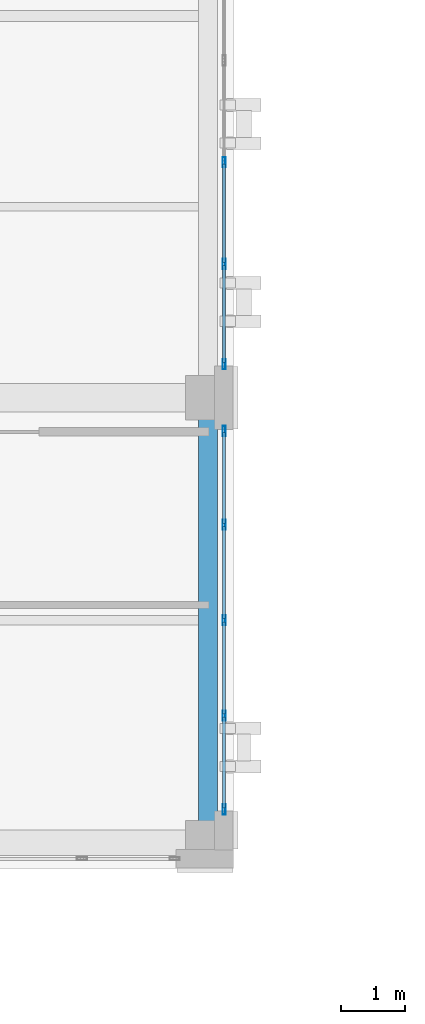
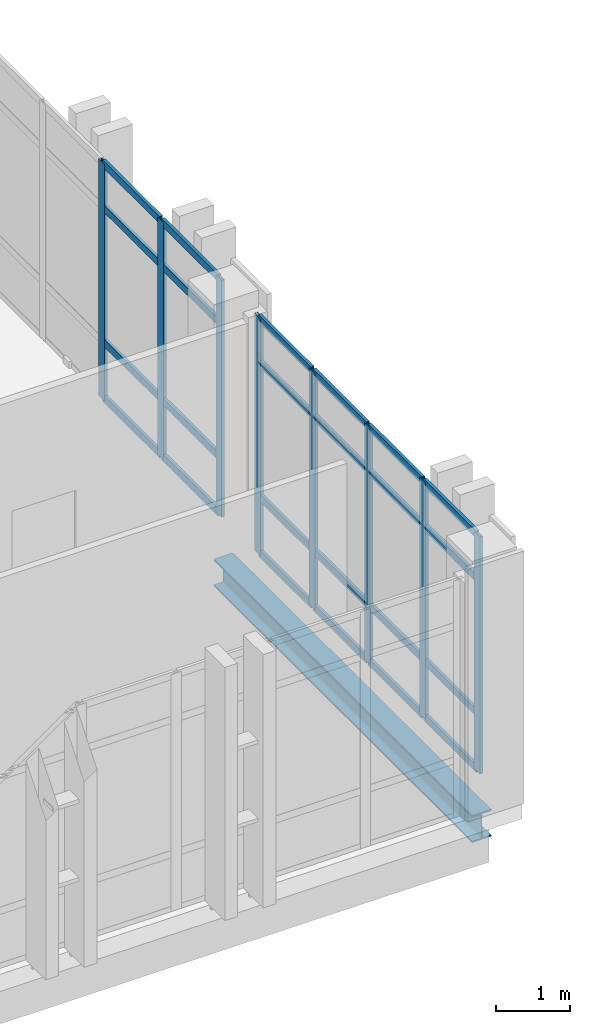
# One storey, part 109 of 165: 32 members, 1 beam, 2 elements without a shape of their own.
"""IFC4 building model written with IfcOpenShell, lengths in metres."""

from ifc_helpers import new_model, si_unit, direction, frame, origin, origin_2d, place, context, subcontext, project, spatial, hollow_rectangle, i_section, extrude, material, layer, layer_set, material_profile, profile_set, type_object, element, aggregate, save


model = new_model("IFC4")

# Units and contexts
model_context = context("Model", 3, precision=1e-05, world=origin(), true_north=direction((0.0, 1.0)))
body_context = subcontext(model_context, "Body", "Model", "MODEL_VIEW")
ifc_project = project(units=[si_unit("LENGTHUNIT", "METRE"), si_unit("AREAUNIT", "SQUARE_METRE"), si_unit("VOLUMEUNIT", "CUBIC_METRE"), si_unit("PLANEANGLEUNIT", "RADIAN"), si_unit("MASSUNIT", "GRAM", prefix="KILO")], contexts=[model_context])

# Site, building, storey
site_placement = place(None, origin())
site = spatial("IfcSite", under=ifc_project, at=site_placement, CompositionType="ELEMENT")
building_placement = place(site_placement, origin())
building = spatial("IfcBuilding", under=site, at=building_placement, Name="Qalavern Law Courts", CompositionType="ELEMENT")
storey_placement = place(building_placement, frame((0.0, 0.0, 14.39990234375)))
storey = spatial("IfcBuildingStorey", under=building, at=storey_placement, Name="L03", CompositionType="ELEMENT", Elevation=14.39990234375)

# Curtain wall, members
ifc_material_1 = material(Name="Anodised aluminium and insulated glazing", Category="aluminium")
ifc_layer = layer(ifc_material_1, 0.166015625)
ifc_layer_set = layer_set([ifc_layer], Name="Anodised aluminium and insulated glazing")
curtain_wall_type = type_object("IfcCurtainWallType", Name="ENV-CW-LIB", PredefinedType="USERDEFINED", material=ifc_layer_set)
curtain_wall_1_placement = place(storey_placement, origin())
curtain_wall_1 = element("IfcCurtainWall", 1, at=curtain_wall_1_placement, inside=storey, type_object=curtain_wall_type, Name="V5 unitised curtain wall L03 east 1", ObjectType="UNITISED CURTAIN WALL", PredefinedType="USERDEFINED")
ifc_material_2 = material(Name="Anodised aluminium", Category="aluminium")
ifc_material_profile_1 = material_profile(ifc_material_2, hollow_rectangle(XDim=0.048095703125, YDim=0.159912109375, WallThickness=0.00390625, at=origin_2d()), Name="ALU MULLION 48x160")
ifc_profile_set_1 = profile_set([ifc_material_profile_1], Name="Anodised aluminium")
member_type_1 = type_object("IfcMemberType", Name="ENV-CWM-48x160", PredefinedType="MULLION", material=ifc_profile_set_1)
member_1_placement = place(storey_placement, frame((66.652587890625, 97.1240234375, 0.0), z_axis=(0.0, 0.0, 1.0), x_axis=(-1.0, 0.0, 0.0)))
member_1 = element("IfcMember", 2, at=member_1_placement, type_object=member_type_1, Name="CW-05 mullion 1", PredefinedType="MULLION", context=body_context, shape_type="SweptSolid", body=[
    extrude(hollow_rectangle(XDim=0.048095703125, YDim=0.159912109375, WallThickness=0.00390625, at=origin_2d()), origin(), (0.0, 0.0, 1.0), 3.920166015625),
])
member_2_placement = place(storey_placement, frame((66.652587890625, 98.60009765625, 0.0), z_axis=(0.0, 0.0, 1.0), x_axis=(-1.0, 0.0, 0.0)))
member_2 = element("IfcMember", 3, at=member_2_placement, type_object=member_type_1, Name="CW-05 mullion 2", PredefinedType="MULLION", context=body_context, shape_type="SweptSolid", body=[
    extrude(hollow_rectangle(XDim=0.048095703125, YDim=0.159912109375, WallThickness=0.00390625, at=origin_2d()), origin(), (0.0, 0.0, 1.0), 3.920166015625),
])
member_3_placement = place(storey_placement, frame((66.652587890625, 100.10009765625, 0.0), z_axis=(0.0, 0.0, 1.0), x_axis=(-1.0, 0.0, 0.0)))
member_3 = element("IfcMember", 4, at=member_3_placement, type_object=member_type_1, Name="CW-05 mullion 3", PredefinedType="MULLION", context=body_context, shape_type="SweptSolid", body=[
    extrude(hollow_rectangle(XDim=0.048095703125, YDim=0.159912109375, WallThickness=0.00390625, at=origin_2d()), origin(), (0.0, 0.0, 1.0), 3.920166015625),
])
member_4_placement = place(storey_placement, frame((66.652587890625, 101.60009765625, 0.0), z_axis=(0.0, 0.0, 1.0), x_axis=(-1.0, 0.0, 0.0)))
member_4 = element("IfcMember", 5, at=member_4_placement, type_object=member_type_1, Name="CW-05 mullion 4", PredefinedType="MULLION", context=body_context, shape_type="SweptSolid", body=[
    extrude(hollow_rectangle(XDim=0.048095703125, YDim=0.159912109375, WallThickness=0.00390625, at=origin_2d()), origin(), (0.0, 0.0, 1.0), 3.920166015625),
])
member_5_placement = place(storey_placement, frame((66.652587890625, 103.075927734375, 0.0), z_axis=(0.0, 0.0, 1.0), x_axis=(-1.0, 0.0, 0.0)))
member_5 = element("IfcMember", 6, at=member_5_placement, type_object=member_type_1, Name="CW-05 mullion 5", PredefinedType="MULLION", context=body_context, shape_type="SweptSolid", body=[
    extrude(hollow_rectangle(XDim=0.048095703125, YDim=0.159912109375, WallThickness=0.00390625, at=origin_2d()), origin(), (0.0, 0.0, 1.0), 3.920166015625),
])

curtain_wall_2_placement = place(storey_placement, origin())
curtain_wall_2 = element("IfcCurtainWall", 7, at=curtain_wall_2_placement, inside=storey, type_object=curtain_wall_type, Name="V5 unitised curtain wall L03 east 2", ObjectType="UNITISED CURTAIN WALL", PredefinedType="USERDEFINED")
member_6_placement = place(storey_placement, frame((66.652587890625, 104.1240234375, 0.0), z_axis=(0.0, 0.0, 1.0), x_axis=(-1.0, 0.0, 0.0)))
member_6 = element("IfcMember", 8, at=member_6_placement, type_object=member_type_1, Name="CW-05 mullion 1", PredefinedType="MULLION", context=body_context, shape_type="SweptSolid", body=[
    extrude(hollow_rectangle(XDim=0.048095703125, YDim=0.159912109375, WallThickness=0.00390625, at=origin_2d()), origin(), (0.0, 0.0, 1.0), 3.920166015625),
])
member_7_placement = place(storey_placement, frame((66.652587890625, 105.699951171875, 0.0), z_axis=(0.0, 0.0, 1.0), x_axis=(-1.0, 0.0, 0.0)))
member_7 = element("IfcMember", 9, at=member_7_placement, type_object=member_type_1, Name="CW-05 mullion 2", PredefinedType="MULLION", context=body_context, shape_type="SweptSolid", body=[
    extrude(hollow_rectangle(XDim=0.048095703125, YDim=0.159912109375, WallThickness=0.00390625, at=origin_2d()), origin(), (0.0, 0.0, 1.0), 3.920166015625),
])
member_8_placement = place(storey_placement, frame((66.652587890625, 107.300048828125, 0.0), z_axis=(0.0, 0.0, 1.0), x_axis=(-1.0, 0.0, 0.0)))
member_8 = element("IfcMember", 10, at=member_8_placement, type_object=member_type_1, Name="CW-05 mullion 3", PredefinedType="MULLION", context=body_context, shape_type="SweptSolid", body=[
    extrude(hollow_rectangle(XDim=0.048095703125, YDim=0.159912109375, WallThickness=0.00390625, at=origin_2d()), origin(), (0.0, 0.0, 1.0), 3.920166015625),
])

# Member
ifc_material_profile_2 = material_profile(ifc_material_2, hollow_rectangle(XDim=0.048095703125, YDim=0.1201171875, WallThickness=0.00390625, at=origin_2d()), Name="ALU TRANSOM 48x120")
ifc_profile_set_2 = profile_set([ifc_material_profile_2], Name="Anodised aluminium")
member_type_2 = type_object("IfcMemberType", Name="ENV-CWT-48x120", PredefinedType="USERDEFINED", material=ifc_profile_set_2)
member_9_placement = place(storey_placement, frame((66.652587890625, 97.14794921875, 0.024169921875), z_axis=(0.0, 1.0, 0.0), x_axis=(-1.0, 0.0, 0.0)))
member_9 = element("IfcMember", 11, at=member_9_placement, type_object=member_type_2, Name="CW-05 transom 1.1", ObjectType="TRANSOM", PredefinedType="USERDEFINED", context=body_context, shape_type="SweptSolid", body=[
    extrude(hollow_rectangle(XDim=0.048095703125, YDim=0.1201171875, WallThickness=0.00390625, at=origin_2d()), origin(), (0.0, 0.0, 1.0), 1.427978515625),
])

member_10_placement = place(storey_placement, frame((66.652587890625, 97.14794921875, 0.9501953125), z_axis=(0.0, 1.0, 0.0), x_axis=(-1.0, 0.0, 0.0)))
member_10 = element("IfcMember", 12, at=member_10_placement, type_object=member_type_2, Name="CW-05 transom 1.2", ObjectType="TRANSOM", PredefinedType="USERDEFINED", context=body_context, shape_type="SweptSolid", body=[
    extrude(hollow_rectangle(XDim=0.048095703125, YDim=0.1201171875, WallThickness=0.00390625, at=origin_2d()), origin(), (0.0, 0.0, 1.0), 1.427978515625),
])

member_11_placement = place(storey_placement, frame((66.652587890625, 97.14794921875, 3.170166015625), z_axis=(0.0, 1.0, 0.0), x_axis=(-1.0, 0.0, 0.0)))
member_11 = element("IfcMember", 13, at=member_11_placement, type_object=member_type_2, Name="CW-05 transom 1.3", ObjectType="TRANSOM", PredefinedType="USERDEFINED", context=body_context, shape_type="SweptSolid", body=[
    extrude(hollow_rectangle(XDim=0.048095703125, YDim=0.1201171875, WallThickness=0.00390625, at=origin_2d()), origin(), (0.0, 0.0, 1.0), 1.427978515625),
])

member_12_placement = place(storey_placement, frame((66.652587890625, 97.14794921875, 3.89599609375), z_axis=(0.0, 1.0, 0.0), x_axis=(-1.0, 0.0, 0.0)))
member_12 = element("IfcMember", 14, at=member_12_placement, type_object=member_type_2, Name="CW-05 transom 1.4", ObjectType="TRANSOM", PredefinedType="USERDEFINED", context=body_context, shape_type="SweptSolid", body=[
    extrude(hollow_rectangle(XDim=0.048095703125, YDim=0.1201171875, WallThickness=0.00390625, at=origin_2d()), origin(), (0.0, 0.0, 1.0), 1.427978515625),
])

member_13_placement = place(storey_placement, frame((66.652587890625, 98.6240234375, 0.024169921875), z_axis=(0.0, 1.0, 0.0), x_axis=(-1.0, 0.0, 0.0)))
member_13 = element("IfcMember", 15, at=member_13_placement, type_object=member_type_2, Name="CW-05 transom 2.1", ObjectType="TRANSOM", PredefinedType="USERDEFINED", context=body_context, shape_type="SweptSolid", body=[
    extrude(hollow_rectangle(XDim=0.048095703125, YDim=0.1201171875, WallThickness=0.00390625, at=origin_2d()), origin(), (0.0, 0.0, 1.0), 1.451904296875),
])

member_14_placement = place(storey_placement, frame((66.652587890625, 98.6240234375, 0.9501953125), z_axis=(0.0, 1.0, 0.0), x_axis=(-1.0, 0.0, 0.0)))
member_14 = element("IfcMember", 16, at=member_14_placement, type_object=member_type_2, Name="CW-05 transom 2.2", ObjectType="TRANSOM", PredefinedType="USERDEFINED", context=body_context, shape_type="SweptSolid", body=[
    extrude(hollow_rectangle(XDim=0.048095703125, YDim=0.1201171875, WallThickness=0.00390625, at=origin_2d()), origin(), (0.0, 0.0, 1.0), 1.451904296875),
])

member_15_placement = place(storey_placement, frame((66.652587890625, 98.6240234375, 3.170166015625), z_axis=(0.0, 1.0, 0.0), x_axis=(-1.0, 0.0, 0.0)))
member_15 = element("IfcMember", 17, at=member_15_placement, type_object=member_type_2, Name="CW-05 transom 2.3", ObjectType="TRANSOM", PredefinedType="USERDEFINED", context=body_context, shape_type="SweptSolid", body=[
    extrude(hollow_rectangle(XDim=0.048095703125, YDim=0.1201171875, WallThickness=0.00390625, at=origin_2d()), origin(), (0.0, 0.0, 1.0), 1.451904296875),
])

member_16_placement = place(storey_placement, frame((66.652587890625, 98.6240234375, 3.89599609375), z_axis=(0.0, 1.0, 0.0), x_axis=(-1.0, 0.0, 0.0)))
member_16 = element("IfcMember", 18, at=member_16_placement, type_object=member_type_2, Name="CW-05 transom 2.4", ObjectType="TRANSOM", PredefinedType="USERDEFINED", context=body_context, shape_type="SweptSolid", body=[
    extrude(hollow_rectangle(XDim=0.048095703125, YDim=0.1201171875, WallThickness=0.00390625, at=origin_2d()), origin(), (0.0, 0.0, 1.0), 1.451904296875),
])

member_17_placement = place(storey_placement, frame((66.652587890625, 100.1240234375, 0.024169921875), z_axis=(0.0, 1.0, 0.0), x_axis=(-1.0, 0.0, 0.0)))
member_17 = element("IfcMember", 19, at=member_17_placement, type_object=member_type_2, Name="CW-05 transom 3.1", ObjectType="TRANSOM", PredefinedType="USERDEFINED", context=body_context, shape_type="SweptSolid", body=[
    extrude(hollow_rectangle(XDim=0.048095703125, YDim=0.1201171875, WallThickness=0.00390625, at=origin_2d()), origin(), (0.0, 0.0, 1.0), 1.451904296875),
])

member_18_placement = place(storey_placement, frame((66.652587890625, 100.1240234375, 0.9501953125), z_axis=(0.0, 1.0, 0.0), x_axis=(-1.0, 0.0, 0.0)))
member_18 = element("IfcMember", 20, at=member_18_placement, type_object=member_type_2, Name="CW-05 transom 3.2", ObjectType="TRANSOM", PredefinedType="USERDEFINED", context=body_context, shape_type="SweptSolid", body=[
    extrude(hollow_rectangle(XDim=0.048095703125, YDim=0.1201171875, WallThickness=0.00390625, at=origin_2d()), origin(), (0.0, 0.0, 1.0), 1.451904296875),
])

member_19_placement = place(storey_placement, frame((66.652587890625, 100.1240234375, 3.170166015625), z_axis=(0.0, 1.0, 0.0), x_axis=(-1.0, 0.0, 0.0)))
member_19 = element("IfcMember", 21, at=member_19_placement, type_object=member_type_2, Name="CW-05 transom 3.3", ObjectType="TRANSOM", PredefinedType="USERDEFINED", context=body_context, shape_type="SweptSolid", body=[
    extrude(hollow_rectangle(XDim=0.048095703125, YDim=0.1201171875, WallThickness=0.00390625, at=origin_2d()), origin(), (0.0, 0.0, 1.0), 1.451904296875),
])

member_20_placement = place(storey_placement, frame((66.652587890625, 100.1240234375, 3.89599609375), z_axis=(0.0, 1.0, 0.0), x_axis=(-1.0, 0.0, 0.0)))
member_20 = element("IfcMember", 22, at=member_20_placement, type_object=member_type_2, Name="CW-05 transom 3.4", ObjectType="TRANSOM", PredefinedType="USERDEFINED", context=body_context, shape_type="SweptSolid", body=[
    extrude(hollow_rectangle(XDim=0.048095703125, YDim=0.1201171875, WallThickness=0.00390625, at=origin_2d()), origin(), (0.0, 0.0, 1.0), 1.451904296875),
])

member_21_placement = place(storey_placement, frame((66.652587890625, 101.6240234375, 0.024169921875), z_axis=(0.0, 1.0, 0.0), x_axis=(-1.0, 0.0, 0.0)))
member_21 = element("IfcMember", 23, at=member_21_placement, type_object=member_type_2, Name="CW-05 transom 4.1", ObjectType="TRANSOM", PredefinedType="USERDEFINED", context=body_context, shape_type="SweptSolid", body=[
    extrude(hollow_rectangle(XDim=0.048095703125, YDim=0.1201171875, WallThickness=0.00390625, at=origin_2d()), origin(), (0.0, 0.0, 1.0), 1.427978515625),
])

member_22_placement = place(storey_placement, frame((66.652587890625, 101.6240234375, 0.9501953125), z_axis=(0.0, 1.0, 0.0), x_axis=(-1.0, 0.0, 0.0)))
member_22 = element("IfcMember", 24, at=member_22_placement, type_object=member_type_2, Name="CW-05 transom 4.2", ObjectType="TRANSOM", PredefinedType="USERDEFINED", context=body_context, shape_type="SweptSolid", body=[
    extrude(hollow_rectangle(XDim=0.048095703125, YDim=0.1201171875, WallThickness=0.00390625, at=origin_2d()), origin(), (0.0, 0.0, 1.0), 1.427978515625),
])

member_23_placement = place(storey_placement, frame((66.652587890625, 101.6240234375, 3.170166015625), z_axis=(0.0, 1.0, 0.0), x_axis=(-1.0, 0.0, 0.0)))
member_23 = element("IfcMember", 25, at=member_23_placement, type_object=member_type_2, Name="CW-05 transom 4.3", ObjectType="TRANSOM", PredefinedType="USERDEFINED", context=body_context, shape_type="SweptSolid", body=[
    extrude(hollow_rectangle(XDim=0.048095703125, YDim=0.1201171875, WallThickness=0.00390625, at=origin_2d()), origin(), (0.0, 0.0, 1.0), 1.427978515625),
])

member_24_placement = place(storey_placement, frame((66.652587890625, 101.6240234375, 3.89599609375), z_axis=(0.0, 1.0, 0.0), x_axis=(-1.0, 0.0, 0.0)))
member_24 = element("IfcMember", 26, at=member_24_placement, type_object=member_type_2, Name="CW-05 transom 4.4", ObjectType="TRANSOM", PredefinedType="USERDEFINED", context=body_context, shape_type="SweptSolid", body=[
    extrude(hollow_rectangle(XDim=0.048095703125, YDim=0.1201171875, WallThickness=0.00390625, at=origin_2d()), origin(), (0.0, 0.0, 1.0), 1.427978515625),
])

aggregate(curtain_wall_1, [member_1, member_2, member_3, member_4, member_5, member_9, member_10, member_11, member_12, member_13, member_14, member_15, member_16, member_17, member_18, member_19, member_20, member_21, member_22, member_23, member_24])

member_25_placement = place(storey_placement, frame((66.652587890625, 104.14794921875, 0.024169921875), z_axis=(0.0, 1.0, 0.0), x_axis=(-1.0, 0.0, 0.0)))
member_25 = element("IfcMember", 27, at=member_25_placement, type_object=member_type_2, Name="CW-05 transom 1.1", ObjectType="TRANSOM", PredefinedType="USERDEFINED", context=body_context, shape_type="SweptSolid", body=[
    extrude(hollow_rectangle(XDim=0.048095703125, YDim=0.1201171875, WallThickness=0.00390625, at=origin_2d()), origin(), (0.0, 0.0, 1.0), 1.528076171875),
])

member_26_placement = place(storey_placement, frame((66.652587890625, 104.14794921875, 0.9501953125), z_axis=(0.0, 1.0, 0.0), x_axis=(-1.0, 0.0, 0.0)))
member_26 = element("IfcMember", 28, at=member_26_placement, type_object=member_type_2, Name="CW-05 transom 1.2", ObjectType="TRANSOM", PredefinedType="USERDEFINED", context=body_context, shape_type="SweptSolid", body=[
    extrude(hollow_rectangle(XDim=0.048095703125, YDim=0.1201171875, WallThickness=0.00390625, at=origin_2d()), origin(), (0.0, 0.0, 1.0), 1.528076171875),
])

member_27_placement = place(storey_placement, frame((66.652587890625, 104.14794921875, 3.170166015625), z_axis=(0.0, 1.0, 0.0), x_axis=(-1.0, 0.0, 0.0)))
member_27 = element("IfcMember", 29, at=member_27_placement, type_object=member_type_2, Name="CW-05 transom 1.3", ObjectType="TRANSOM", PredefinedType="USERDEFINED", context=body_context, shape_type="SweptSolid", body=[
    extrude(hollow_rectangle(XDim=0.048095703125, YDim=0.1201171875, WallThickness=0.00390625, at=origin_2d()), origin(), (0.0, 0.0, 1.0), 1.528076171875),
])

member_28_placement = place(storey_placement, frame((66.652587890625, 104.14794921875, 3.89599609375), z_axis=(0.0, 1.0, 0.0), x_axis=(-1.0, 0.0, 0.0)))
member_28 = element("IfcMember", 30, at=member_28_placement, type_object=member_type_2, Name="CW-05 transom 1.4", ObjectType="TRANSOM", PredefinedType="USERDEFINED", context=body_context, shape_type="SweptSolid", body=[
    extrude(hollow_rectangle(XDim=0.048095703125, YDim=0.1201171875, WallThickness=0.00390625, at=origin_2d()), origin(), (0.0, 0.0, 1.0), 1.528076171875),
])

member_29_placement = place(storey_placement, frame((66.652587890625, 105.72412109375, 0.024169921875), z_axis=(0.0, 1.0, 0.0), x_axis=(-1.0, 0.0, 0.0)))
member_29 = element("IfcMember", 31, at=member_29_placement, type_object=member_type_2, Name="CW-05 transom 2.1", ObjectType="TRANSOM", PredefinedType="USERDEFINED", context=body_context, shape_type="SweptSolid", body=[
    extrude(hollow_rectangle(XDim=0.048095703125, YDim=0.1201171875, WallThickness=0.00390625, at=origin_2d()), origin(), (0.0, 0.0, 1.0), 1.5517578125),
])

member_30_placement = place(storey_placement, frame((66.652587890625, 105.72412109375, 0.9501953125), z_axis=(0.0, 1.0, 0.0), x_axis=(-1.0, 0.0, 0.0)))
member_30 = element("IfcMember", 32, at=member_30_placement, type_object=member_type_2, Name="CW-05 transom 2.2", ObjectType="TRANSOM", PredefinedType="USERDEFINED", context=body_context, shape_type="SweptSolid", body=[
    extrude(hollow_rectangle(XDim=0.048095703125, YDim=0.1201171875, WallThickness=0.00390625, at=origin_2d()), origin(), (0.0, 0.0, 1.0), 1.5517578125),
])

member_31_placement = place(storey_placement, frame((66.652587890625, 105.72412109375, 3.170166015625), z_axis=(0.0, 1.0, 0.0), x_axis=(-1.0, 0.0, 0.0)))
member_31 = element("IfcMember", 33, at=member_31_placement, type_object=member_type_2, Name="CW-05 transom 2.3", ObjectType="TRANSOM", PredefinedType="USERDEFINED", context=body_context, shape_type="SweptSolid", body=[
    extrude(hollow_rectangle(XDim=0.048095703125, YDim=0.1201171875, WallThickness=0.00390625, at=origin_2d()), origin(), (0.0, 0.0, 1.0), 1.5517578125),
])

member_32_placement = place(storey_placement, frame((66.652587890625, 105.72412109375, 3.89599609375), z_axis=(0.0, 1.0, 0.0), x_axis=(-1.0, 0.0, 0.0)))
member_32 = element("IfcMember", 34, at=member_32_placement, type_object=member_type_2, Name="CW-05 transom 2.4", ObjectType="TRANSOM", PredefinedType="USERDEFINED", context=body_context, shape_type="SweptSolid", body=[
    extrude(hollow_rectangle(XDim=0.048095703125, YDim=0.1201171875, WallThickness=0.00390625, at=origin_2d()), origin(), (0.0, 0.0, 1.0), 1.5517578125),
])

aggregate(curtain_wall_2, [member_6, member_7, member_8, member_25, member_26, member_27, member_28, member_29, member_30, member_31, member_32])

# Beam
ifc_material_3 = material(Name="Steel S355", Category="steel")
ifc_material_profile_3 = material_profile(ifc_material_3, i_section(OverallWidth=0.300048828125, OverallDepth=0.449951171875, WebThickness=0.013916015625, FlangeThickness=0.02587890625, FilletRadius=0.027099609375, at=origin_2d()), Name="HEB 450")
ifc_profile_set_3 = profile_set([ifc_material_profile_3], Name="Steel S355")
beam_type = type_object("IfcBeamType", Name="STR-SP-HEB450", PredefinedType="SPANDREL", material=ifc_profile_set_3)
beam_placement = place(storey_placement, frame((66.39990234375, 96.60009765625, -0.510009765625), z_axis=(0.0, 1.0, 0.0), x_axis=(-1.0, 0.0, 0.0)))
element("IfcBeam", 35, at=beam_placement, inside=storey, type_object=beam_type, Name="V5 Y-beam 9-1 L03", PredefinedType="SPANDREL", context=body_context, shape_type="SweptSolid", body=[
    extrude(i_section(OverallWidth=0.300048828125, OverallDepth=0.449951171875, WebThickness=0.013916015625, FlangeThickness=0.02587890625, FilletRadius=0.027099609375, at=origin_2d()), origin(), (0.0, 0.0, 1.0), 7.0),
])

save(model, "model.ifc")
